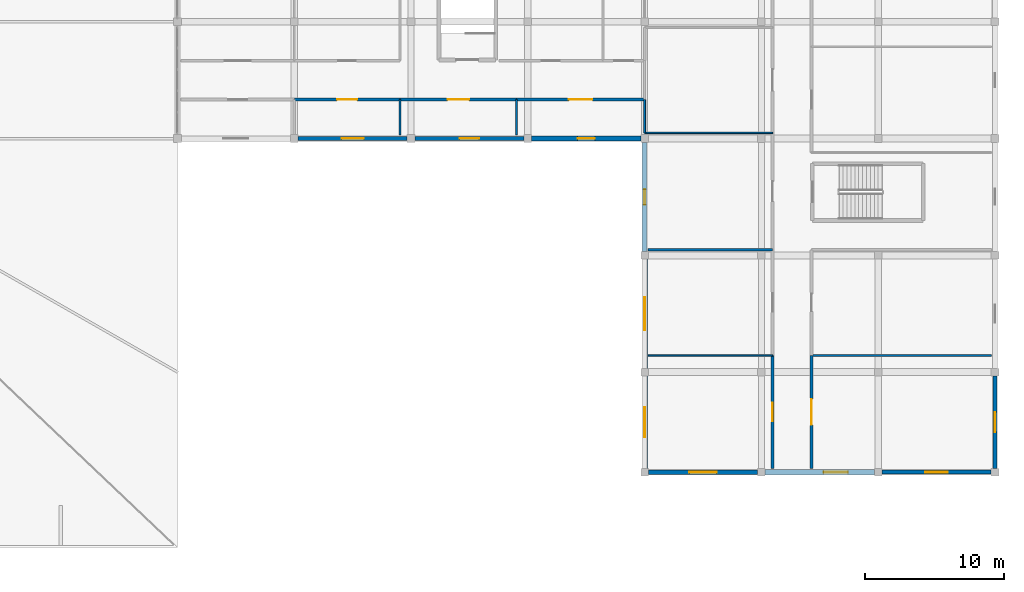
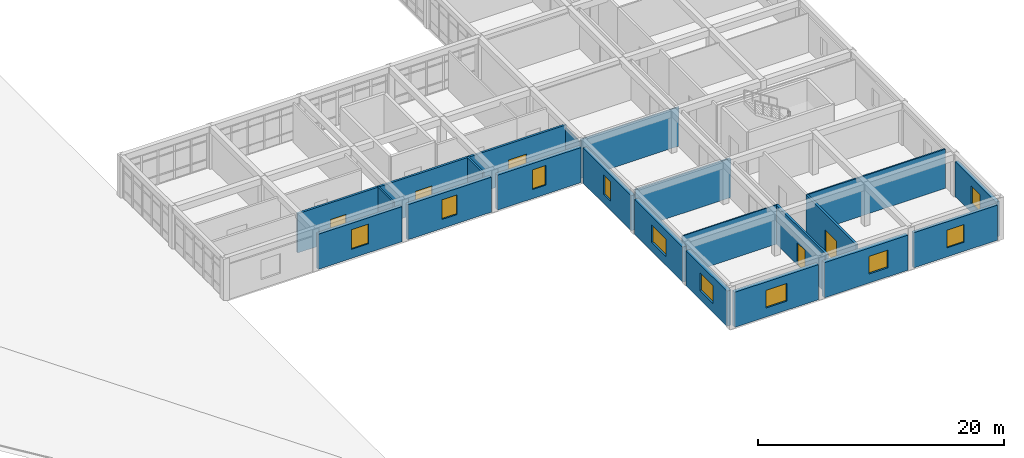
# One storey, part 54 of 77: 22 walls, 10 windows, 5 doors, 15 openings.
"""IFC4 building model written with IfcOpenShell, lengths in metres."""

from ifc_helpers import new_model, si_unit, direction, frame, frame_2d, origin, place, context, subcontext, project, spatial, rectangle, extrude, material, layer, layer_set, type_object, element, fill, save


model = new_model("IFC4")

# Units and contexts
model_context = context("Model", 3, precision=1e-05, world=origin(), true_north=direction((0.0, 1.0)))
body_context = subcontext(model_context, "Body", "Model", "MODEL_VIEW")
ifc_project = project(units=[si_unit("LENGTHUNIT", "METRE"), si_unit("AREAUNIT", "SQUARE_METRE"), si_unit("VOLUMEUNIT", "CUBIC_METRE"), si_unit("PLANEANGLEUNIT", "RADIAN"), si_unit("MASSUNIT", "GRAM", prefix="KILO")], contexts=[model_context])

# Site, building, storey
site_placement = place(None, origin())
site = spatial("IfcSite", under=ifc_project, at=site_placement, CompositionType="ELEMENT")
building_placement = place(site_placement, origin())
building = spatial("IfcBuilding", under=site, at=building_placement, Name="Varncliffe General Hospital", CompositionType="ELEMENT")
storey_placement = place(building_placement, frame((0.0, 0.0, 16.199951171875)))
storey = spatial("IfcBuildingStorey", under=building, at=storey_placement, Name="L03", CompositionType="ELEMENT", Elevation=16.199951171875)

# Wall, opening, window
ifc_material_1 = material(Name="Precast concrete C40/50 with insulated cream lime-cement stucco", Category="concrete")
ifc_layer_1 = layer(ifc_material_1, 0.31005859375)
ifc_layer_set_1 = layer_set([ifc_layer_1], Name="Precast concrete C40/50 with insulated cream lime-cement stucco")
wall_type_1 = type_object("IfcWallType", Name="Exterior Insulated Stucco Wall EW20 (310mm)", PredefinedType="SOLIDWALL", material=ifc_layer_set_1)
wall_1_placement = place(storey_placement, frame((176.39990234375, 6.927001953125, 0.0), z_axis=(0.0, 0.0, 1.0), x_axis=(0.0, -1.0, 0.0)))
wall_1 = element("IfcWall", 1, at=wall_1_placement, inside=storey, type_object=wall_type_1, Name="L03 Exterior Stucco Wall EW20-274", PredefinedType="SOLIDWALL", context=body_context, shape_type="SweptSolid", body=[
    extrude(rectangle(XDim=6.654052734375, YDim=0.31005859375, at=frame_2d((3.3271484375, 0.0))), origin(), (0.0, 0.0, 1.0), 3.47998046875),
])
opening_1_placement = place(wall_1_placement, frame((2.60205078125, 0.0, 0.89990234375)))
opening_1 = element("IfcOpeningElement", 2, at=opening_1_placement, cuts=wall_1, Name="Opening WN88", PredefinedType="OPENING", context=body_context, shape_type="SweptSolid", body=[
    extrude(rectangle(XDim=1.449951171875, YDim=1.75, at=frame_2d((0.72509765625, 0.875))), frame((0.0, 0.1650390625, 0.0), z_axis=(0.0, -1.0, 0.0), x_axis=(1.0, 0.0, 0.0)), (0.0, 0.0, 1.0), 0.330078125),
])
ifc_material_2 = material(Name="Triple low-E argon insulated vision glazing", Category="glass")
window_type_1 = type_object("IfcWindowType", Name="Triple-Glazed Hospital Window WN88 (1450x1750)", PartitioningType="SINGLE_PANEL", PredefinedType="WINDOW", material=ifc_material_2)
window_1_placement = place(opening_1_placement, origin())
window_1 = element("IfcWindow", 3, at=window_1_placement, inside=storey, type_object=window_type_1, Name="L03 Hospital Window WN88-194", OverallHeight=1.75, OverallWidth=1.449951171875, PartitioningType="SINGLE_PANEL", PredefinedType="WINDOW", context=body_context, shape_type="SweptSolid", body=[
    extrude(rectangle(XDim=1.449951171875, YDim=1.75, at=frame_2d((0.72509765625, 0.875))), frame((0.0, 0.030029296875, 0.0), z_axis=(0.0, -1.0, 0.0), x_axis=(1.0, 0.0, 0.0)), (0.0, 0.0, 1.0), 0.06005859375),
])
fill(opening_1, window_1)

wall_2_placement = place(storey_placement, frame((142.527099609375, 24.0, 0.0), z_axis=(0.0, 0.0, 1.0), x_axis=(-1.0, 0.0, 0.0)))
wall_2 = element("IfcWall", 4, at=wall_2_placement, inside=storey, type_object=wall_type_1, Name="L03 Exterior Stucco Wall EW20-282", PredefinedType="SOLIDWALL", context=body_context, shape_type="SweptSolid", body=[
    extrude(rectangle(XDim=7.85400390625, YDim=0.31005859375, at=frame_2d((3.927001953125, 0.0))), origin(), (0.0, 0.0, 1.0), 3.47998046875),
])
opening_2_placement = place(wall_2_placement, frame((3.22705078125, 0.0, 0.89990234375)))
opening_2 = element("IfcOpeningElement", 5, at=opening_2_placement, cuts=wall_2, Name="Opening WN22", PredefinedType="OPENING", context=body_context, shape_type="SweptSolid", body=[
    extrude(rectangle(XDim=1.39990234375, YDim=1.949951171875, at=frame_2d((0.699951171875, 0.97509765625))), frame((0.0, 0.1650390625, 0.0), z_axis=(0.0, -1.0, 0.0), x_axis=(1.0, 0.0, 0.0)), (0.0, 0.0, 1.0), 0.330078125),
])
window_type_2 = type_object("IfcWindowType", Name="Triple-Glazed Hospital Window WN22 (1400x1950)", PartitioningType="SINGLE_PANEL", PredefinedType="WINDOW", material=ifc_material_2)
window_2_placement = place(opening_2_placement, origin())
window_2 = element("IfcWindow", 6, at=window_2_placement, inside=storey, type_object=window_type_2, Name="L03 Hospital Window WN22-202", OverallHeight=1.949951171875, OverallWidth=1.39990234375, PartitioningType="SINGLE_PANEL", PredefinedType="WINDOW", context=body_context, shape_type="SweptSolid", body=[
    extrude(rectangle(XDim=1.39990234375, YDim=1.949951171875, at=frame_2d((0.699951171875, 0.97509765625))), frame((0.0, 0.030029296875, 0.0), z_axis=(0.0, -1.0, 0.0), x_axis=(1.0, 0.0, 0.0)), (0.0, 0.0, 1.0), 0.06005859375),
])
fill(opening_2, window_2)

ifc_layer_2 = layer(ifc_material_1, 0.3798828125)
ifc_layer_set_2 = layer_set([ifc_layer_2], Name="Precast concrete C40/50 with insulated cream lime-cement stucco")
wall_type_2 = type_object("IfcWallType", Name="Exterior Insulated Stucco Wall EW26 (380mm)", PredefinedType="SOLIDWALL", material=ifc_layer_set_2)
wall_3_placement = place(storey_placement, frame((167.72705078125, 0.0, 0.0), z_axis=(0.0, 0.0, 1.0), x_axis=(-1.0, 0.0, 0.0)))
wall_3 = element("IfcWall", 7, at=wall_3_placement, inside=storey, type_object=wall_type_2, Name="L03 Exterior Stucco Wall EW26-276", PredefinedType="SOLIDWALL", context=body_context, shape_type="SweptSolid", body=[
    extrude(rectangle(XDim=7.85400390625, YDim=0.3798828125, at=frame_2d((3.927001953125, 0.0))), origin(), (0.0, 0.0, 1.0), 3.47998046875),
])
opening_3_placement = place(wall_3_placement, frame((1.906982421875, 0.0, 0.89990234375)))
opening_3 = element("IfcOpeningElement", 8, at=opening_3_placement, cuts=wall_3, Name="Opening WN82", PredefinedType="OPENING", context=body_context, shape_type="SweptSolid", body=[
    extrude(rectangle(XDim=1.75, YDim=1.75, at=frame_2d((0.875, 0.875))), frame((0.0, 0.199951171875, 0.0), z_axis=(0.0, -1.0, 0.0), x_axis=(1.0, 0.0, 0.0)), (0.0, 0.0, 1.0), 0.39990234375),
])
window_type_3 = type_object("IfcWindowType", Name="Triple-Glazed Hospital Window WN82 (1750x1750)", PartitioningType="DOUBLE_PANEL_VERTICAL", PredefinedType="WINDOW", material=ifc_material_2)
window_3_placement = place(opening_3_placement, origin())
window_3 = element("IfcWindow", 9, at=window_3_placement, inside=storey, type_object=window_type_3, Name="L03 Hospital Window WN82-196", OverallHeight=1.75, OverallWidth=1.75, PartitioningType="DOUBLE_PANEL_VERTICAL", PredefinedType="WINDOW", context=body_context, shape_type="SweptSolid", body=[
    extrude(rectangle(XDim=1.75, YDim=1.75, at=frame_2d((0.875, 0.875))), frame((0.0, 0.030029296875, 0.0), z_axis=(0.0, -1.0, 0.0), x_axis=(1.0, 0.0, 0.0)), (0.0, 0.0, 1.0), 0.06005859375),
])
fill(opening_3, window_3)

wall_4_placement = place(storey_placement, frame((151.199951171875, 7.472900390625, 0.0), z_axis=(0.0, 0.0, 1.0), x_axis=(0.0, 1.0, 0.0)))
wall_4 = element("IfcWall", 10, at=wall_4_placement, inside=storey, type_object=wall_type_2, Name="L03 Exterior Stucco Wall EW26-279", PredefinedType="SOLIDWALL", context=body_context, shape_type="SweptSolid", body=[
    extrude(rectangle(XDim=7.85400390625, YDim=0.3798828125, at=frame_2d((3.927001953125, 0.0))), origin(), (0.0, 0.0, 1.0), 3.47998046875),
])
opening_4_placement = place(wall_4_placement, frame((2.751953125, 0.0, 0.89990234375)))
opening_4 = element("IfcOpeningElement", 11, at=opening_4_placement, cuts=wall_4, Name="Opening WN31", PredefinedType="OPENING", context=body_context, shape_type="SweptSolid", body=[
    extrude(rectangle(XDim=2.35009765625, YDim=1.75, at=frame_2d((1.175048828125, 0.875))), frame((0.0, 0.199951171875, 0.0), z_axis=(0.0, -1.0, 0.0), x_axis=(1.0, 0.0, 0.0)), (0.0, 0.0, 1.0), 0.39990234375),
])
window_type_4 = type_object("IfcWindowType", Name="Triple-Glazed Hospital Window WN31 (2350x1750)", PartitioningType="DOUBLE_PANEL_VERTICAL", PredefinedType="WINDOW", material=ifc_material_2)
window_4_placement = place(opening_4_placement, origin())
window_4 = element("IfcWindow", 12, at=window_4_placement, inside=storey, type_object=window_type_4, Name="L03 Hospital Window WN31-199", OverallHeight=1.75, OverallWidth=2.35009765625, PartitioningType="DOUBLE_PANEL_VERTICAL", PredefinedType="WINDOW", context=body_context, shape_type="SweptSolid", body=[
    extrude(rectangle(XDim=2.35009765625, YDim=1.75, at=frame_2d((1.175048828125, 0.875))), frame((0.0, 0.030029296875, 0.0), z_axis=(0.0, -1.0, 0.0), x_axis=(1.0, 0.0, 0.0)), (0.0, 0.0, 1.0), 0.06005859375),
])
fill(opening_4, window_4)

ifc_layer_3 = layer(ifc_material_1, 0.2900390625)
ifc_layer_set_3 = layer_set([ifc_layer_3], Name="Precast concrete C40/50 with insulated cream lime-cement stucco")
wall_type_3 = type_object("IfcWallType", Name="Exterior Insulated Stucco Wall EW31 (290mm)", PredefinedType="SOLIDWALL", material=ifc_layer_set_3)
wall_5_placement = place(storey_placement, frame((176.126953125, 0.0, 0.0), z_axis=(0.0, 0.0, 1.0), x_axis=(-1.0, 0.0, 0.0)))
wall_5 = element("IfcWall", 13, at=wall_5_placement, inside=storey, type_object=wall_type_3, Name="L03 Exterior Stucco Wall EW31-275", PredefinedType="SOLIDWALL", context=body_context, shape_type="SweptSolid", body=[
    extrude(rectangle(XDim=7.85400390625, YDim=0.2900390625, at=frame_2d((3.927001953125, 0.0))), origin(), (0.0, 0.0, 1.0), 3.47998046875),
])
opening_5_placement = place(wall_5_placement, frame((3.126953125, 0.0, 0.89990234375)))
opening_5 = element("IfcOpeningElement", 14, at=opening_5_placement, cuts=wall_5, Name="Opening WN87", PredefinedType="OPENING", context=body_context, shape_type="SweptSolid", body=[
    extrude(rectangle(XDim=1.60009765625, YDim=1.75, at=frame_2d((0.800048828125, 0.875))), frame((0.0, 0.155029296875, 0.0), z_axis=(0.0, -1.0, 0.0), x_axis=(1.0, 0.0, 0.0)), (0.0, 0.0, 1.0), 0.31005859375),
])
window_type_5 = type_object("IfcWindowType", Name="Triple-Glazed Hospital Window WN87 (1600x1750)", PartitioningType="DOUBLE_PANEL_VERTICAL", PredefinedType="WINDOW", material=ifc_material_2)
window_5_placement = place(opening_5_placement, origin())
window_5 = element("IfcWindow", 15, at=window_5_placement, inside=storey, type_object=window_type_5, Name="L03 Hospital Window WN87-195", OverallHeight=1.75, OverallWidth=1.60009765625, PartitioningType="DOUBLE_PANEL_VERTICAL", PredefinedType="WINDOW", context=body_context, shape_type="SweptSolid", body=[
    extrude(rectangle(XDim=1.60009765625, YDim=1.75, at=frame_2d((0.800048828125, 0.875))), frame((0.0, 0.030029296875, 0.0), z_axis=(0.0, -1.0, 0.0), x_axis=(1.0, 0.0, 0.0)), (0.0, 0.0, 1.0), 0.06005859375),
])
fill(opening_5, window_5)

wall_6_placement = place(storey_placement, frame((134.126953125, 24.0, 0.0), z_axis=(0.0, 0.0, 1.0), x_axis=(-1.0, 0.0, 0.0)))
wall_6 = element("IfcWall", 16, at=wall_6_placement, inside=storey, type_object=wall_type_3, Name="L03 Exterior Stucco Wall EW31-283", PredefinedType="SOLIDWALL", context=body_context, shape_type="SweptSolid", body=[
    extrude(rectangle(XDim=7.85400390625, YDim=0.2900390625, at=frame_2d((3.927001953125, 0.0))), origin(), (0.0, 0.0, 1.0), 3.47998046875),
])
opening_6_placement = place(wall_6_placement, frame((3.126953125, 0.0, 0.89990234375)))
opening_6 = element("IfcOpeningElement", 17, at=opening_6_placement, cuts=wall_6, Name="Opening WN13", PredefinedType="OPENING", context=body_context, shape_type="SweptSolid", body=[
    extrude(rectangle(XDim=1.60009765625, YDim=1.949951171875, at=frame_2d((0.800048828125, 0.97509765625))), frame((0.0, 0.155029296875, 0.0), z_axis=(0.0, -1.0, 0.0), x_axis=(1.0, 0.0, 0.0)), (0.0, 0.0, 1.0), 0.31005859375),
])
window_type_6 = type_object("IfcWindowType", Name="Triple-Glazed Hospital Window WN13 (1600x1950)", PartitioningType="DOUBLE_PANEL_VERTICAL", PredefinedType="WINDOW", material=ifc_material_2)
window_6_placement = place(opening_6_placement, origin())
window_6 = element("IfcWindow", 18, at=window_6_placement, inside=storey, type_object=window_type_6, Name="L03 Hospital Window WN13-203", OverallHeight=1.949951171875, OverallWidth=1.60009765625, PartitioningType="DOUBLE_PANEL_VERTICAL", PredefinedType="WINDOW", context=body_context, shape_type="SweptSolid", body=[
    extrude(rectangle(XDim=1.60009765625, YDim=1.949951171875, at=frame_2d((0.800048828125, 0.97509765625))), frame((0.0, 0.030029296875, 0.0), z_axis=(0.0, -1.0, 0.0), x_axis=(1.0, 0.0, 0.0)), (0.0, 0.0, 1.0), 0.06005859375),
])
fill(opening_6, window_6)

ifc_layer_4 = layer(ifc_material_1, 0.330078125)
ifc_layer_set_4 = layer_set([ifc_layer_4], Name="Precast concrete C40/50 with insulated cream lime-cement stucco")
wall_type_4 = type_object("IfcWallType", Name="Exterior Insulated Stucco Wall EW33 (330mm)", PredefinedType="SOLIDWALL", material=ifc_layer_set_4)
wall_7_placement = place(storey_placement, frame((150.927001953125, 24.0, 0.0), z_axis=(0.0, 0.0, 1.0), x_axis=(-1.0, 0.0, 0.0)))
wall_7 = element("IfcWall", 19, at=wall_7_placement, inside=storey, type_object=wall_type_4, Name="L03 Exterior Stucco Wall EW33-281", PredefinedType="SOLIDWALL", context=body_context, shape_type="SweptSolid", body=[
    extrude(rectangle(XDim=7.85400390625, YDim=0.330078125, at=frame_2d((3.927001953125, 0.0))), origin(), (0.0, 0.0, 1.0), 3.47998046875),
])
opening_7_placement = place(wall_7_placement, frame((3.302001953125, 0.0, 0.89990234375)))
opening_7 = element("IfcOpeningElement", 20, at=opening_7_placement, cuts=wall_7, Name="Opening WN49", PredefinedType="OPENING", context=body_context, shape_type="SweptSolid", body=[
    extrude(rectangle(XDim=1.25, YDim=1.949951171875, at=frame_2d((0.625, 0.97509765625))), frame((0.0, 0.175048828125, 0.0), z_axis=(0.0, -1.0, 0.0), x_axis=(1.0, 0.0, 0.0)), (0.0, 0.0, 1.0), 0.35009765625),
])
window_type_7 = type_object("IfcWindowType", Name="Triple-Glazed Hospital Window WN49 (1250x1950)", PartitioningType="SINGLE_PANEL", PredefinedType="WINDOW", material=ifc_material_2)
window_7_placement = place(opening_7_placement, origin())
window_7 = element("IfcWindow", 21, at=window_7_placement, inside=storey, type_object=window_type_7, Name="L03 Hospital Window WN49-201", OverallHeight=1.949951171875, OverallWidth=1.25, PartitioningType="SINGLE_PANEL", PredefinedType="WINDOW", context=body_context, shape_type="SweptSolid", body=[
    extrude(rectangle(XDim=1.25, YDim=1.949951171875, at=frame_2d((0.625, 0.97509765625))), frame((0.0, 0.030029296875, 0.0), z_axis=(0.0, -1.0, 0.0), x_axis=(1.0, 0.0, 0.0)), (0.0, 0.0, 1.0), 0.06005859375),
])
fill(opening_7, window_7)

ifc_layer_5 = layer(ifc_material_1, 0.35009765625)
ifc_layer_set_5 = layer_set([ifc_layer_5], Name="Precast concrete C40/50 with insulated cream lime-cement stucco")
wall_type_5 = type_object("IfcWallType", Name="Exterior Insulated Stucco Wall EW37 (350mm)", PredefinedType="SOLIDWALL", material=ifc_layer_set_5)
wall_8_placement = place(storey_placement, frame((159.326904296875, 0.0, 0.0), z_axis=(0.0, 0.0, 1.0), x_axis=(-1.0, 0.0, 0.0)))
wall_8 = element("IfcWall", 22, at=wall_8_placement, inside=storey, type_object=wall_type_5, Name="L03 Exterior Stucco Wall EW37-277", PredefinedType="SOLIDWALL", context=body_context, shape_type="SweptSolid", body=[
    extrude(rectangle(XDim=7.85400390625, YDim=0.35009765625, at=frame_2d((3.927001953125, 0.0))), origin(), (0.0, 0.0, 1.0), 3.47998046875),
])
opening_8_placement = place(wall_8_placement, frame((2.951904296875, 0.0, 0.89990234375)))
opening_8 = element("IfcOpeningElement", 23, at=opening_8_placement, cuts=wall_8, Name="Opening WN71", PredefinedType="OPENING", context=body_context, shape_type="SweptSolid", body=[
    extrude(rectangle(XDim=1.949951171875, YDim=1.75, at=frame_2d((0.97509765625, 0.875))), frame((0.0, 0.18505859375, 0.0), z_axis=(0.0, -1.0, 0.0), x_axis=(1.0, 0.0, 0.0)), (0.0, 0.0, 1.0), 0.3701171875),
])
window_type_8 = type_object("IfcWindowType", Name="Triple-Glazed Hospital Window WN71 (1950x1750)", PartitioningType="DOUBLE_PANEL_VERTICAL", PredefinedType="WINDOW", material=ifc_material_2)
window_8_placement = place(opening_8_placement, origin())
window_8 = element("IfcWindow", 24, at=window_8_placement, inside=storey, type_object=window_type_8, Name="L03 Hospital Window WN71-197", OverallHeight=1.75, OverallWidth=1.949951171875, PartitioningType="DOUBLE_PANEL_VERTICAL", PredefinedType="WINDOW", context=body_context, shape_type="SweptSolid", body=[
    extrude(rectangle(XDim=1.949951171875, YDim=1.75, at=frame_2d((0.97509765625, 0.875))), frame((0.0, 0.030029296875, 0.0), z_axis=(0.0, -1.0, 0.0), x_axis=(1.0, 0.0, 0.0)), (0.0, 0.0, 1.0), 0.06005859375),
])
fill(opening_8, window_8)

wall_9_placement = place(storey_placement, frame((151.199951171875, 15.873046875, 0.0), z_axis=(0.0, 0.0, 1.0), x_axis=(0.0, 1.0, 0.0)))
wall_9 = element("IfcWall", 25, at=wall_9_placement, inside=storey, type_object=wall_type_5, Name="L03 Exterior Stucco Wall EW37-280", PredefinedType="SOLIDWALL", context=body_context, shape_type="SweptSolid", body=[
    extrude(rectangle(XDim=7.85400390625, YDim=0.35009765625, at=frame_2d((3.927001953125, 0.0))), origin(), (0.0, 0.0, 1.0), 3.47998046875),
])
opening_9_placement = place(wall_9_placement, frame((3.376953125, 0.0, 0.89990234375)))
opening_9 = element("IfcOpeningElement", 26, at=opening_9_placement, cuts=wall_9, Name="Opening WN41", PredefinedType="OPENING", context=body_context, shape_type="SweptSolid", body=[
    extrude(rectangle(XDim=1.10009765625, YDim=1.949951171875, at=frame_2d((0.550048828125, 0.97509765625))), frame((0.0, 0.18505859375, 0.0), z_axis=(0.0, -1.0, 0.0), x_axis=(1.0, 0.0, 0.0)), (0.0, 0.0, 1.0), 0.3701171875),
])
window_type_9 = type_object("IfcWindowType", Name="Triple-Glazed Hospital Window WN41 (1100x1950)", PartitioningType="SINGLE_PANEL", PredefinedType="WINDOW", material=ifc_material_2)
window_9_placement = place(opening_9_placement, origin())
window_9 = element("IfcWindow", 27, at=window_9_placement, inside=storey, type_object=window_type_9, Name="L03 Hospital Window WN41-200", OverallHeight=1.949951171875, OverallWidth=1.10009765625, PartitioningType="SINGLE_PANEL", PredefinedType="WINDOW", context=body_context, shape_type="SweptSolid", body=[
    extrude(rectangle(XDim=1.10009765625, YDim=1.949951171875, at=frame_2d((0.550048828125, 0.97509765625))), frame((0.0, 0.030029296875, 0.0), z_axis=(0.0, -1.0, 0.0), x_axis=(1.0, 0.0, 0.0)), (0.0, 0.0, 1.0), 0.06005859375),
])
fill(opening_9, window_9)

ifc_layer_6 = layer(ifc_material_1, 0.39990234375)
ifc_layer_set_6 = layer_set([ifc_layer_6], Name="Precast concrete C40/50 with insulated cream lime-cement stucco")
wall_type_6 = type_object("IfcWallType", Name="Exterior Insulated Stucco Wall EW47 (400mm)", PredefinedType="SOLIDWALL", material=ifc_layer_set_6)
wall_10_placement = place(storey_placement, frame((151.199951171875, 0.27294921875, 0.0), z_axis=(0.0, 0.0, 1.0), x_axis=(0.0, 1.0, 0.0)))
wall_10 = element("IfcWall", 28, at=wall_10_placement, inside=storey, type_object=wall_type_6, Name="L03 Exterior Stucco Wall EW47-278", PredefinedType="SOLIDWALL", context=body_context, shape_type="SweptSolid", body=[
    extrude(rectangle(XDim=6.654052734375, YDim=0.39990234375, at=frame_2d((3.3271484375, 0.0))), origin(), (0.0, 0.0, 1.0), 3.47998046875),
])
opening_10_placement = place(wall_10_placement, frame((2.251953125, 0.0, 0.89990234375)))
opening_10 = element("IfcOpeningElement", 29, at=opening_10_placement, cuts=wall_10, Name="Opening WN63", PredefinedType="OPENING", context=body_context, shape_type="SweptSolid", body=[
    extrude(rectangle(XDim=2.14990234375, YDim=1.75, at=frame_2d((1.074951171875, 0.875))), frame((0.0, 0.2099609375, 0.0), z_axis=(0.0, -1.0, 0.0), x_axis=(1.0, 0.0, 0.0)), (0.0, 0.0, 1.0), 0.419921875),
])
window_type_10 = type_object("IfcWindowType", Name="Triple-Glazed Hospital Window WN63 (2150x1750)", PartitioningType="DOUBLE_PANEL_VERTICAL", PredefinedType="WINDOW", material=ifc_material_2)
window_10_placement = place(opening_10_placement, origin())
window_10 = element("IfcWindow", 30, at=window_10_placement, inside=storey, type_object=window_type_10, Name="L03 Hospital Window WN63-198", OverallHeight=1.75, OverallWidth=2.14990234375, PartitioningType="DOUBLE_PANEL_VERTICAL", PredefinedType="WINDOW", context=body_context, shape_type="SweptSolid", body=[
    extrude(rectangle(XDim=2.14990234375, YDim=1.75, at=frame_2d((1.074951171875, 0.875))), frame((0.0, 0.030029296875, 0.0), z_axis=(0.0, -1.0, 0.0), x_axis=(1.0, 0.0, 0.0)), (0.0, 0.0, 1.0), 0.06005859375),
])
fill(opening_10, window_10)

# Walls
ifc_material_3 = material(Name="Acoustic clinical gypsum stud partition assembly", Category="gypsum")
ifc_layer_7 = layer(ifc_material_3, 0.1298828125)
ifc_layer_set_7 = layer_set([ifc_layer_7], Name="Acoustic clinical gypsum stud partition assembly")
wall_type_7 = type_object("IfcWallType", Name="Interior Partitioning IW11 (130mm)", PredefinedType="PARTITIONING", material=ifc_layer_set_7)
wall_11_placement = place(storey_placement, frame((163.199951171875, 8.39990234375, 0.0), z_axis=(0.0, 0.0, 1.0), x_axis=(1.0, 0.0, 0.0)))
element("IfcWall", 31, at=wall_11_placement, inside=storey, type_object=wall_type_7, Name="L03 Interior Partition Wall IW11-1323", PredefinedType="PARTITIONING", context=body_context, shape_type="SweptSolid", body=[
    extrude(rectangle(XDim=12.93994140625, YDim=0.1298828125, at=frame_2d((6.469970703125, 0.0))), origin(), (0.0, 0.0, 1.0), 3.89013671875),
])
wall_12_placement = place(storey_placement, frame((133.60009765625, 24.260009765625, 0.0), z_axis=(0.0, 0.0, 1.0), x_axis=(0.0, 1.0, 0.0)))
element("IfcWall", 32, at=wall_12_placement, inside=storey, type_object=wall_type_7, Name="L03 Interior Partition Wall IW11-1613", PredefinedType="PARTITIONING", context=body_context, shape_type="SweptSolid", body=[
    extrude(rectangle(XDim=2.5400390625, YDim=0.1298828125, at=frame_2d((1.27001953125, 0.0))), origin(), (0.0, 0.0, 1.0), 3.89013671875),
])
wall_13_placement = place(storey_placement, frame((151.199951171875, 24.39990234375, 0.0), z_axis=(0.0, 0.0, 1.0), x_axis=(0.0, 1.0, 0.0)))
element("IfcWall", 33, at=wall_13_placement, inside=storey, type_object=wall_type_7, Name="L03 Interior Partition Wall IW11-1633", PredefinedType="PARTITIONING", context=body_context, shape_type="SweptSolid", body=[
    extrude(rectangle(XDim=2.400146484375, YDim=0.1298828125, at=frame_2d((1.2001953125, 0.0))), origin(), (0.0, 0.0, 1.0), 3.5849609375),
])
ifc_layer_8 = layer(ifc_material_3, 0.14990234375)
ifc_layer_set_8 = layer_set([ifc_layer_8], Name="Acoustic clinical gypsum stud partition assembly")
wall_type_8 = type_object("IfcWallType", Name="Interior Partitioning IW35 (150mm)", PredefinedType="PARTITIONING", material=ifc_layer_set_8)
wall_14_placement = place(storey_placement, frame((151.4599609375, 16.0, 0.0), z_axis=(0.0, 0.0, 1.0), x_axis=(1.0, 0.0, 0.0)))
element("IfcWall", 34, at=wall_14_placement, inside=storey, type_object=wall_type_8, Name="L03 Interior Partition Wall IW35-1324", PredefinedType="PARTITIONING", context=body_context, shape_type="SweptSolid", body=[
    extrude(rectangle(XDim=8.93994140625, YDim=0.14990234375, at=frame_2d((4.469970703125, 0.0))), origin(), (0.0, 0.0, 1.0), 3.89013671875),
])
wall_15_placement = place(storey_placement, frame((142.0, 24.260009765625, 0.0), z_axis=(0.0, 0.0, 1.0), x_axis=(0.0, 1.0, 0.0)))
element("IfcWall", 35, at=wall_15_placement, inside=storey, type_object=wall_type_8, Name="L03 Interior Partition Wall IW35-1624", PredefinedType="PARTITIONING", context=body_context, shape_type="SweptSolid", body=[
    extrude(rectangle(XDim=2.5400390625, YDim=0.14990234375, at=frame_2d((1.27001953125, 0.0))), origin(), (0.0, 0.0, 1.0), 3.89013671875),
])
ifc_layer_9 = layer(ifc_material_3, 0.110107421875)
ifc_layer_set_9 = layer_set([ifc_layer_9], Name="Acoustic clinical gypsum stud partition assembly")
wall_type_9 = type_object("IfcWallType", Name="Interior Partitioning IW65 (110mm)", PredefinedType="PARTITIONING", material=ifc_layer_set_9)
wall_16_placement = place(storey_placement, frame((151.4599609375, 8.39990234375, 0.0), z_axis=(0.0, 0.0, 1.0), x_axis=(1.0, 0.0, 0.0)))
element("IfcWall", 36, at=wall_16_placement, inside=storey, type_object=wall_type_9, Name="L03 Interior Partition Wall IW65-1322", PredefinedType="PARTITIONING", context=body_context, shape_type="SweptSolid", body=[
    extrude(rectangle(XDim=8.93994140625, YDim=0.110107421875, at=frame_2d((4.469970703125, 0.0))), origin(), (0.0, 0.0, 1.0), 3.89013671875),
])
wall_17_placement = place(storey_placement, frame((151.199951171875, 24.39990234375, 0.0), z_axis=(0.0, 0.0, 1.0), x_axis=(1.0, 0.0, 0.0)))
element("IfcWall", 37, at=wall_17_placement, inside=storey, type_object=wall_type_9, Name="L03 Interior Partition Wall IW65-1327", PredefinedType="PARTITIONING", context=body_context, shape_type="SweptSolid", body=[
    extrude(rectangle(XDim=9.199951171875, YDim=0.110107421875, at=frame_2d((4.60009765625, 0.0))), origin(), (0.0, 0.0, 1.0), 3.89013671875),
])

# Wall, opening, door
ifc_material_4 = material(Name="Fire-rated gypsum and mineral-wool partition assembly", Category="gypsum")
ifc_layer_10 = layer(ifc_material_4, 0.199951171875)
ifc_layer_set_10 = layer_set([ifc_layer_10], Name="Fire-rated gypsum and mineral-wool partition assembly")
wall_type_10 = type_object("IfcWallType", Name="Interior Partitioning PW63 (200mm)", PredefinedType="PARTITIONING", material=ifc_layer_set_10)
wall_18_placement = place(storey_placement, frame((126.0, 26.800048828125, 0.0), z_axis=(0.0, 0.0, 1.0), x_axis=(1.0, 0.0, 0.0)))
wall_18 = element("IfcWall", 38, at=wall_18_placement, inside=storey, type_object=wall_type_10, Name="L03 Interior Partition Wall PW63-1329", PredefinedType="PARTITIONING", context=body_context, shape_type="SweptSolid", body=[
    extrude(rectangle(XDim=7.60009765625, YDim=0.199951171875, at=frame_2d((3.800048828125, 0.0))), origin(), (0.0, 0.0, 1.0), 3.89013671875),
])
opening_11_placement = place(wall_18_placement, frame((3.074951171875, 0.0, 0.0)))
opening_11 = element("IfcOpeningElement", 39, at=opening_11_placement, cuts=wall_18, Name="Opening DC66", PredefinedType="OPENING", context=body_context, shape_type="SweptSolid", body=[
    extrude(rectangle(XDim=1.449951171875, YDim=2.25, at=frame_2d((0.72509765625, 1.125))), frame((0.0, 0.10986328125, 0.0), z_axis=(0.0, -1.0, 0.0), x_axis=(1.0, 0.0, 0.0)), (0.0, 0.0, 1.0), 0.219970703125),
])
ifc_material_5 = material(Name="Fire-rated hospital steel-frame vision-panel door", Category="steel")
door_type_1 = type_object("IfcDoorType", Name="Interior Hospital Door DC66 (1450x2250)", OperationType="NOTDEFINED", PredefinedType="DOOR", material=ifc_material_5)
door_1_placement = place(opening_11_placement, frame((1.449951171875, 0.0, 0.0), z_axis=(0.0, 0.0, 1.0), x_axis=(-1.0, 0.0, 0.0)))
door_1 = element("IfcDoor", 40, at=door_1_placement, inside=storey, type_object=door_type_1, Name="L03 Renal Dialysis Treatment Bay 97 Door", OperationType="SINGLE_SWING_RIGHT", OverallHeight=2.25, OverallWidth=1.449951171875, PredefinedType="DOOR", context=body_context, shape_type="SweptSolid", body=[
    extrude(rectangle(XDim=1.449951171875, YDim=2.25, at=frame_2d((0.72509765625, 1.125))), frame((0.0, 0.02490234375, 0.0), z_axis=(0.0, -1.0, 0.0), x_axis=(1.0, 0.0, 0.0)), (0.0, 0.0, 1.0), 0.050048828125),
])
fill(opening_11, door_1)

wall_19_placement = place(storey_placement, frame((133.60009765625, 26.800048828125, 0.0), z_axis=(0.0, 0.0, 1.0), x_axis=(1.0, 0.0, 0.0)))
wall_19 = element("IfcWall", 41, at=wall_19_placement, inside=storey, type_object=wall_type_10, Name="L03 Interior Partition Wall PW63-1330", PredefinedType="PARTITIONING", context=body_context, shape_type="SweptSolid", body=[
    extrude(rectangle(XDim=8.39990234375, YDim=0.199951171875, at=frame_2d((4.199951171875, 0.0))), origin(), (0.0, 0.0, 1.0), 3.89013671875),
])
opening_12_placement = place(wall_19_placement, frame((3.425048828125, 0.0, 0.0)))
opening_12 = element("IfcOpeningElement", 42, at=opening_12_placement, cuts=wall_19, Name="Opening DC67", PredefinedType="OPENING", context=body_context, shape_type="SweptSolid", body=[
    extrude(rectangle(XDim=1.550048828125, YDim=2.25, at=frame_2d((0.77490234375, 1.125))), frame((0.0, 0.10986328125, 0.0), z_axis=(0.0, -1.0, 0.0), x_axis=(1.0, 0.0, 0.0)), (0.0, 0.0, 1.0), 0.219970703125),
])
door_type_2 = type_object("IfcDoorType", Name="Interior Hospital Door DC67 (1550x2250)", OperationType="NOTDEFINED", PredefinedType="DOOR", material=ifc_material_5)
door_2_placement = place(opening_12_placement, frame((1.550048828125, 0.0, 0.0), z_axis=(0.0, 0.0, 1.0), x_axis=(-1.0, 0.0, 0.0)))
door_2 = element("IfcDoor", 43, at=door_2_placement, inside=storey, type_object=door_type_2, Name="L03 Oncology Chemotherapy Infusion Suite 98 Door", OperationType="SINGLE_SWING_LEFT", OverallHeight=2.25, OverallWidth=1.550048828125, PredefinedType="DOOR", context=body_context, shape_type="SweptSolid", body=[
    extrude(rectangle(XDim=1.550048828125, YDim=2.25, at=frame_2d((0.77490234375, 1.125))), frame((0.0, 0.02490234375, 0.0), z_axis=(0.0, -1.0, 0.0), x_axis=(1.0, 0.0, 0.0)), (0.0, 0.0, 1.0), 0.050048828125),
])
fill(opening_12, door_2)

wall_20_placement = place(storey_placement, frame((142.0, 26.800048828125, 0.0), z_axis=(0.0, 0.0, 1.0), x_axis=(1.0, 0.0, 0.0)))
wall_20 = element("IfcWall", 44, at=wall_20_placement, inside=storey, type_object=wall_type_10, Name="L03 Interior Partition Wall PW63-1331", PredefinedType="PARTITIONING", context=body_context, shape_type="SweptSolid", body=[
    extrude(rectangle(XDim=9.199951171875, YDim=0.199951171875, at=frame_2d((4.60009765625, 0.0))), origin(), (0.0, 0.0, 1.0), 3.89013671875),
])
opening_13_placement = place(wall_20_placement, frame((3.75, 0.0, 0.0)))
opening_13 = element("IfcOpeningElement", 45, at=opening_13_placement, cuts=wall_20, Name="Opening DC50", PredefinedType="OPENING", context=body_context, shape_type="SweptSolid", body=[
    extrude(rectangle(XDim=1.699951171875, YDim=2.300048828125, at=frame_2d((0.85009765625, 1.14990234375))), frame((0.0, 0.10986328125, 0.0), z_axis=(0.0, -1.0, 0.0), x_axis=(1.0, 0.0, 0.0)), (0.0, 0.0, 1.0), 0.219970703125),
])
door_type_3 = type_object("IfcDoorType", Name="Interior Hospital Door DC50 (1700x2300)", OperationType="NOTDEFINED", PredefinedType="DOOR", material=ifc_material_5)
door_3_placement = place(opening_13_placement, frame((1.699951171875, 0.0, 0.0), z_axis=(0.0, 0.0, 1.0), x_axis=(-1.0, 0.0, 0.0)))
door_3 = element("IfcDoor", 46, at=door_3_placement, inside=storey, type_object=door_type_3, Name="L03 Renal Dialysis Treatment Bay 99 Door", OperationType="SINGLE_SWING_RIGHT", OverallHeight=2.300048828125, OverallWidth=1.699951171875, PredefinedType="DOOR", context=body_context, shape_type="SweptSolid", body=[
    extrude(rectangle(XDim=1.699951171875, YDim=2.300048828125, at=frame_2d((0.85009765625, 1.14990234375))), frame((0.0, 0.02490234375, 0.0), z_axis=(0.0, -1.0, 0.0), x_axis=(1.0, 0.0, 0.0)), (0.0, 0.0, 1.0), 0.050048828125),
])
fill(opening_13, door_3)

wall_21_placement = place(storey_placement, frame((160.39990234375, 0.260009765625, 0.0), z_axis=(0.0, 0.0, 1.0), x_axis=(0.0, 1.0, 0.0)))
wall_21 = element("IfcWall", 47, at=wall_21_placement, inside=storey, type_object=wall_type_10, Name="L03 Interior Partition Wall PW63-1648", PredefinedType="PARTITIONING", context=body_context, shape_type="SweptSolid", body=[
    extrude(rectangle(XDim=8.139892578125, YDim=0.199951171875, at=frame_2d((4.06982421875, 0.0))), origin(), (0.0, 0.0, 1.0), 3.89013671875),
])
opening_14_placement = place(wall_21_placement, frame((3.419921875, 0.0, 0.0)))
opening_14 = element("IfcOpeningElement", 48, at=opening_14_placement, cuts=wall_21, Name="Opening DC88", PredefinedType="OPENING", context=body_context, shape_type="SweptSolid", body=[
    extrude(rectangle(XDim=1.300048828125, YDim=2.199951171875, at=frame_2d((0.64990234375, 1.10009765625))), frame((0.0, 0.10986328125, 0.0), z_axis=(0.0, -1.0, 0.0), x_axis=(1.0, 0.0, 0.0)), (0.0, 0.0, 1.0), 0.219970703125),
])
door_type_4 = type_object("IfcDoorType", Name="Interior Hospital Door DC88 (1300x2200)", OperationType="NOTDEFINED", PredefinedType="DOOR", material=ifc_material_5)
door_4_placement = place(opening_14_placement, origin())
door_4 = element("IfcDoor", 49, at=door_4_placement, inside=storey, type_object=door_type_4, Name="L03 Oncology Chemotherapy Infusion Suite 75 Door", OperationType="SINGLE_SWING_LEFT", OverallHeight=2.199951171875, OverallWidth=1.300048828125, PredefinedType="DOOR", context=body_context, shape_type="SweptSolid", body=[
    extrude(rectangle(XDim=1.300048828125, YDim=2.199951171875, at=frame_2d((0.64990234375, 1.10009765625))), frame((0.0, 0.02490234375, 0.0), z_axis=(0.0, -1.0, 0.0), x_axis=(1.0, 0.0, 0.0)), (0.0, 0.0, 1.0), 0.050048828125),
])
fill(opening_14, door_4)

wall_22_placement = place(storey_placement, frame((163.199951171875, 0.260009765625, 0.0), z_axis=(0.0, 0.0, 1.0), x_axis=(0.0, 1.0, 0.0)))
wall_22 = element("IfcWall", 50, at=wall_22_placement, inside=storey, type_object=wall_type_10, Name="L03 Interior Partition Wall PW63-1660", PredefinedType="PARTITIONING", context=body_context, shape_type="SweptSolid", body=[
    extrude(rectangle(XDim=8.139892578125, YDim=0.199951171875, at=frame_2d((4.06982421875, 0.0))), origin(), (0.0, 0.0, 1.0), 3.89013671875),
])
opening_15_placement = place(wall_22_placement, frame((3.14501953125, 0.0, 0.0)))
opening_15 = element("IfcOpeningElement", 51, at=opening_15_placement, cuts=wall_22, Name="Opening DC38", PredefinedType="OPENING", context=body_context, shape_type="SweptSolid", body=[
    extrude(rectangle(XDim=1.85009765625, YDim=2.300048828125, at=frame_2d((0.925048828125, 1.14990234375))), frame((0.0, 0.10986328125, 0.0), z_axis=(0.0, -1.0, 0.0), x_axis=(1.0, 0.0, 0.0)), (0.0, 0.0, 1.0), 0.219970703125),
])
door_type_5 = type_object("IfcDoorType", Name="Interior Hospital Door DC38 (1850x2300)", OperationType="NOTDEFINED", PredefinedType="DOOR", material=ifc_material_5)
door_5_placement = place(opening_15_placement, frame((1.85009765625, 0.0, 0.0), z_axis=(0.0, 0.0, 1.0), x_axis=(-1.0, 0.0, 0.0)))
door_5 = element("IfcDoor", 52, at=door_5_placement, inside=storey, type_object=door_type_5, Name="L03 Oncology Chemotherapy Infusion Suite 85 Door", OperationType="SINGLE_SWING_LEFT", OverallHeight=2.300048828125, OverallWidth=1.85009765625, PredefinedType="DOOR", context=body_context, shape_type="SweptSolid", body=[
    extrude(rectangle(XDim=1.85009765625, YDim=2.300048828125, at=frame_2d((0.925048828125, 1.14990234375))), frame((0.0, 0.02490234375, 0.0), z_axis=(0.0, -1.0, 0.0), x_axis=(1.0, 0.0, 0.0)), (0.0, 0.0, 1.0), 0.050048828125),
])
fill(opening_15, door_5)

save(model, "model.ifc")
